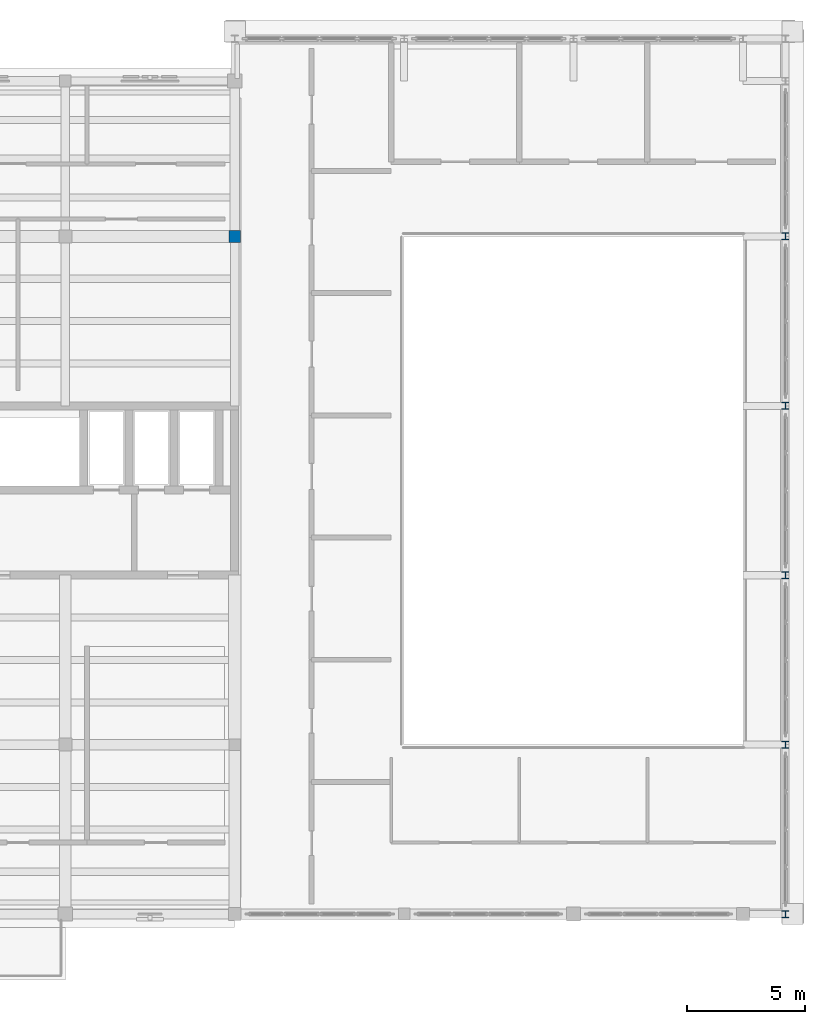
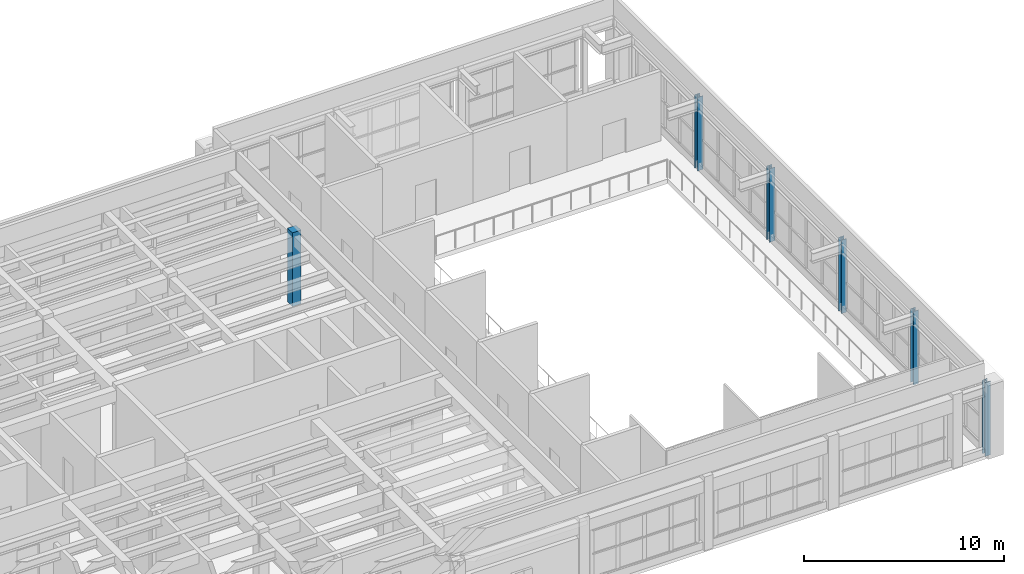
# One storey, part 2 of 18: 6 columns.
"""IFC4 building model written with IfcOpenShell, lengths in metres."""

from ifc_helpers import new_model, si_unit, direction, frame, origin, origin_2d, place, context, subcontext, project, spatial, rectangle, i_section, extrude, material, material_profile, profile_set, type_object, element, save


model = new_model("IFC4")

# Units and contexts
model_context = context("Model", 3, precision=1e-05, world=origin(), true_north=direction((0.0, 1.0)))
body_context = subcontext(model_context, "Body", "Model", "MODEL_VIEW")
ifc_project = project(units=[si_unit("LENGTHUNIT", "METRE"), si_unit("AREAUNIT", "SQUARE_METRE"), si_unit("VOLUMEUNIT", "CUBIC_METRE"), si_unit("PLANEANGLEUNIT", "RADIAN"), si_unit("MASSUNIT", "GRAM", prefix="KILO")], contexts=[model_context])

# Site, building, storey
site_placement = place(None, origin())
site = spatial("IfcSite", under=ifc_project, at=site_placement, CompositionType="ELEMENT")
building_placement = place(site_placement, origin())
building = spatial("IfcBuilding", under=site, at=building_placement, Name="Mithqara Police Headquarters", CompositionType="ELEMENT")
storey_placement = place(building_placement, frame((0.0, 0.0, 30.89990234375)))
storey = spatial("IfcBuildingStorey", under=building, at=storey_placement, Name="L07", CompositionType="ELEMENT", Elevation=30.89990234375)

# Columns
ifc_material_1 = material(Name="Steel S355JR", Category="steel")
ifc_material_profile_1 = material_profile(ifc_material_1, i_section(OverallWidth=0.300048828125, OverallDepth=0.300048828125, WebThickness=0.010986328125, FlangeThickness=0.01904296875, FilletRadius=0.027099609375, at=origin_2d()), Name="HEB 300")
ifc_profile_set_1 = profile_set([ifc_material_profile_1], Name="Steel S355JR")
column_type_1 = type_object("IfcColumnType", Name="COLUMN HEB300", PredefinedType="COLUMN", material=ifc_profile_set_1)
for number, where, z_axis, x_axis, name in (
    (1, (168.0, 78.60009765625, 0.0), (0.0, 0.0, 1.0), (1.0, 0.0, 0.0), "L07 Proud Command Cube Steel Column 1"),
    (2, (168.0, 85.800048828125, 0.0), (0.0, 0.0, 1.0), (1.0, 0.0, 0.0), "L07 Proud Command Cube Steel Column 2"),
    (3, (168.0, 93.0, 0.0), (0.0, 0.0, 1.0), (1.0, 0.0, 0.0), "L07 Proud Command Cube Steel Column 3"),
    (4, (168.0, 100.199951171875, 0.0), (0.0, 0.0, 1.0), (1.0, 0.0, 0.0), "L07 Proud Command Cube Steel Column 4"),
    (5, (168.0, 107.39990234375, 0.0), (0.0, 0.0, 1.0), (1.0, 0.0, 0.0), "L07 Proud Command Cube Steel Column 5"),
):
    element("IfcColumn", number, at=place(storey_placement, frame(where, z_axis=z_axis, x_axis=x_axis)), inside=storey, type_object=column_type_1, Name=name, PredefinedType="COLUMN", context=body_context, shape_type="SweptSolid", body=[
        extrude(i_section(OverallWidth=0.300048828125, OverallDepth=0.300048828125, WebThickness=0.010986328125, FlangeThickness=0.01904296875, FilletRadius=0.027099609375, at=origin_2d()), origin(), (0.0, 0.0, 1.0), 4.5),
    ])
ifc_material_2 = material(Name="Concrete C50/60", Category="concrete")
ifc_material_profile_2 = material_profile(ifc_material_2, rectangle(XDim=0.5, YDim=0.5, at=origin_2d()), Name="RC 500x500")
ifc_profile_set_2 = profile_set([ifc_material_profile_2], Name="Concrete C50/60")
column_type_2 = type_object("IfcColumnType", Name="COLUMN RC500", PredefinedType="COLUMN", material=ifc_profile_set_2)
column_placement = place(storey_placement, frame((144.60009765625, 107.39990234375, 0.0), z_axis=(0.0, 0.0, 1.0), x_axis=(1.0, 0.0, 0.0)))
element("IfcColumn", 6, at=column_placement, inside=storey, type_object=column_type_2, Name="L07 Column 21/R", PredefinedType="COLUMN", context=body_context, shape_type="SweptSolid", body=[
    extrude(rectangle(XDim=0.5, YDim=0.5, at=origin_2d()), origin(), (0.0, 0.0, 1.0), 4.5),
])

save(model, "model.ifc")
